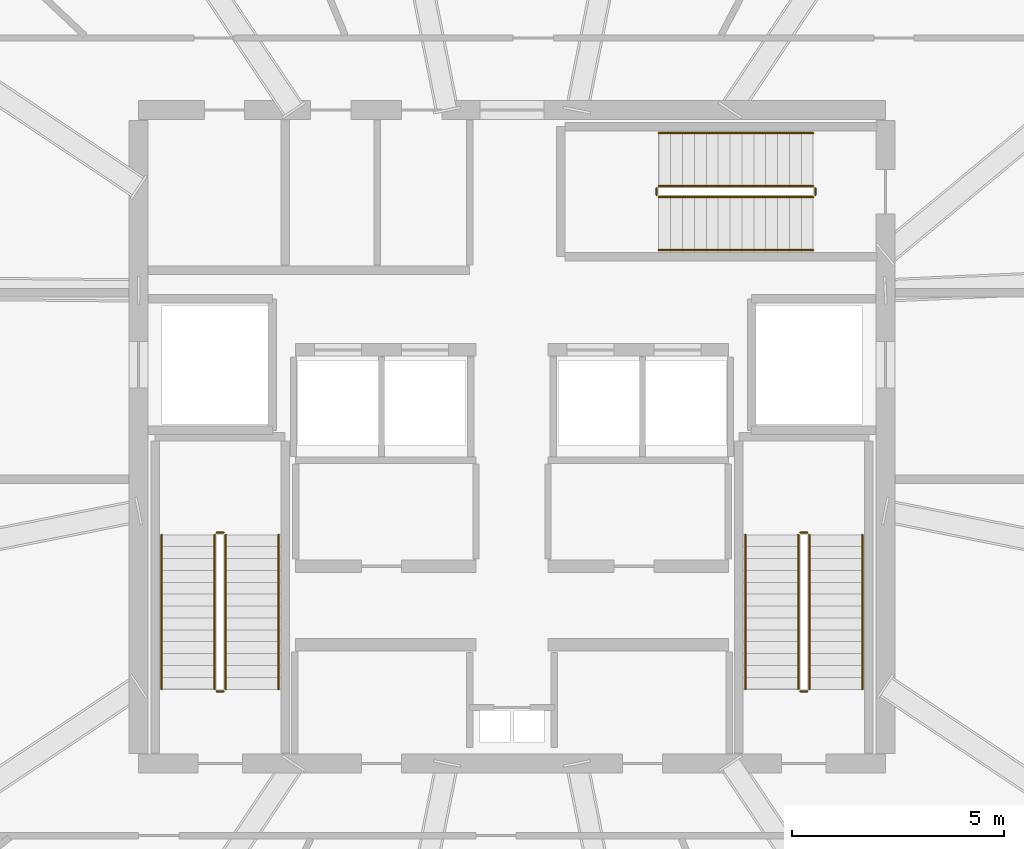
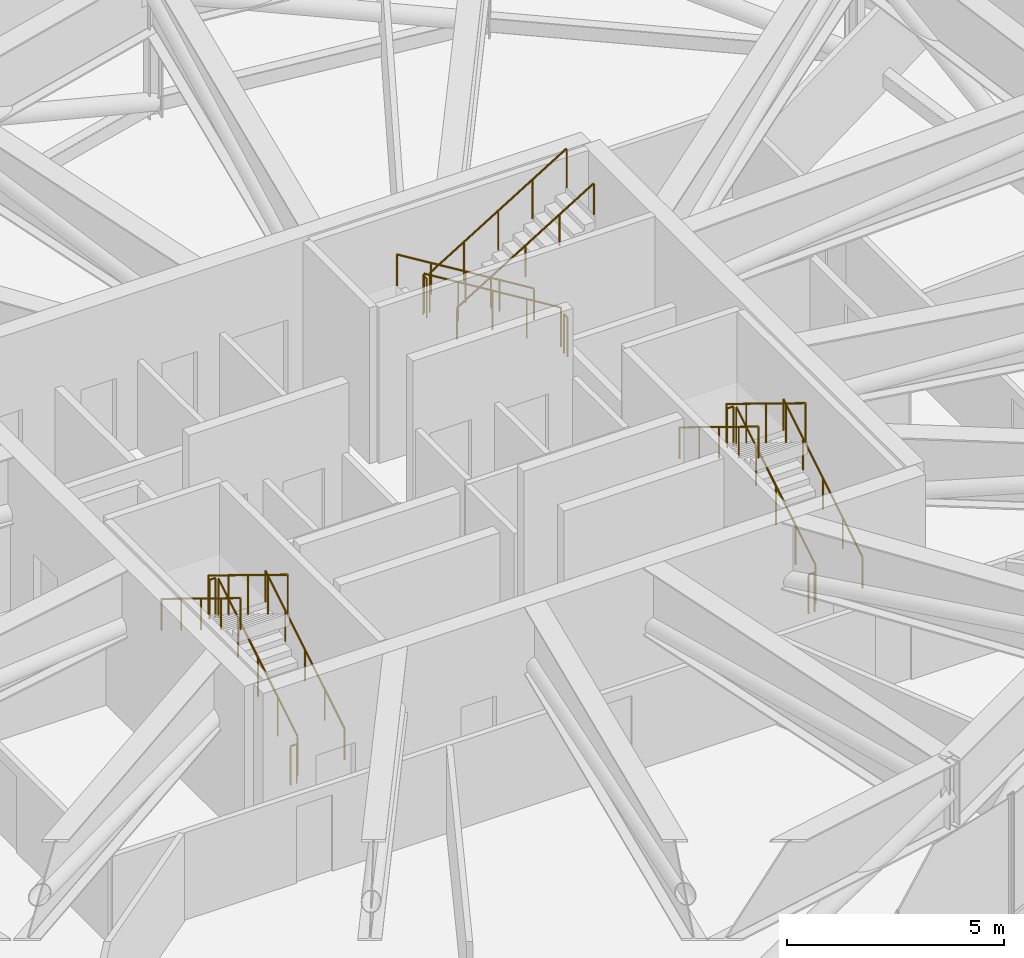
# One storey, part 26 of 26: 18 railings.
"""IFC4 building model written with IfcOpenShell, lengths in metres."""

import ifcopenshell
import ifcopenshell.guid

model = None  # the IFC model being written
_history = None  # IfcOwnerHistory: only IFC2X3 demands one
_inside = {}  # id of a spatial element -> (the spatial element, [elements in it])
_under = {}  # id of a project, library or spatial element -> (it, [spatial elements below it])
_declared = {}  # id of a project -> (the project, [libraries it declares])
_typed = {}  # id of a type object -> (the type object, [elements of that type])
_made_of = {}  # id of a material, layer set ... -> (it, [elements and type objects made of it])


def new_model(schema):
    """Start an empty IFC model of exactly this schema.

    Asked for "IFC4X3", IfcOpenShell would pick the latest addendum, in which some entities
    have other attributes; the version numbers below select the first issue.
    IFC2X3 requires an IfcOwnerHistory on every rooted entity: one is made here for all.
    """
    global model, _history
    if schema == "IFC4X3":
        model = ifcopenshell.file(schema_version=(4, 3, 0, 0))
    else:
        model = ifcopenshell.file(schema=schema)
    _inside.clear()
    _under.clear()
    _declared.clear()
    _typed.clear()
    _made_of.clear()
    _history = None
    if model.schema == "IFC2X3":
        org = make("IfcOrganization", Name="unknown")
        user = make(
            "IfcPersonAndOrganization",
            ThePerson=make("IfcPerson", FamilyName="unknown"),
            TheOrganization=org,
        )
        app = make(
            "IfcApplication",
            ApplicationDeveloper=org,
            Version="unknown",
            ApplicationFullName="unknown",
            ApplicationIdentifier="unknown",
        )
        _history = make(
            "IfcOwnerHistory",
            OwningUser=user,
            OwningApplication=app,
            ChangeAction="ADDED",
            CreationDate=0,
        )
    return model


def make(cls, **values):
    """One entity of the class cls with the attributes given. An attribute that is None is left unset."""
    return model.create_entity(
        cls, **{name: value for name, value in values.items() if value is not None}
    )


def rooted(cls, **values):
    """An entity with a GlobalId (a new one), such as an element, a storey or a relation."""
    return make(cls, GlobalId=ifcopenshell.guid.new(), OwnerHistory=_history, **values)


def si_unit(unit_type, name, prefix=None):
    """IfcSIUnit, for example si_unit("LENGTHUNIT", "METRE", prefix="MILLI")."""
    return make("IfcSIUnit", UnitType=unit_type, Prefix=prefix, Name=name)


def assignment(units):
    """IfcUnitAssignment: the units of a project."""
    return None if units is None else make("IfcUnitAssignment", Units=units)


def point(xyz):
    """IfcCartesianPoint."""
    return None if xyz is None else make("IfcCartesianPoint", Coordinates=xyz)


def direction(xyz):
    """IfcDirection."""
    return None if xyz is None else make("IfcDirection", DirectionRatios=xyz)


def frame(location, z_axis=None, x_axis=None):
    """IfcAxis2Placement3D, a coordinate frame: its origin and axes. An axis left out is left unset."""
    return make(
        "IfcAxis2Placement3D",
        Location=point(location),
        Axis=direction(z_axis),
        RefDirection=direction(x_axis),
    )


def frame_2d(location, x_axis=None):
    """IfcAxis2Placement2D, a coordinate frame in the plane: its origin and x axis."""
    return make(
        "IfcAxis2Placement2D", Location=point(location), RefDirection=direction(x_axis)
    )


def origin():
    """The frame at (0, 0, 0) with its axes left unset."""
    return frame((0.0, 0.0, 0.0))


def origin_2d():
    """The frame at (0, 0) in the plane with its x axis left unset."""
    return frame_2d((0.0, 0.0))


def place(relative_to, where):
    """IfcLocalPlacement: puts the frame where relative to a parent placement (None: the world)."""
    return make(
        "IfcLocalPlacement", PlacementRelTo=relative_to, RelativePlacement=where
    )


def context(
    kind, dimensions, precision=None, world=None, true_north=None, identifier=None
):
    """IfcGeometricRepresentationContext, for example the 3D "Model" context."""
    return make(
        "IfcGeometricRepresentationContext",
        ContextIdentifier=identifier,
        ContextType=kind,
        CoordinateSpaceDimension=dimensions,
        Precision=precision,
        WorldCoordinateSystem=world,
        TrueNorth=true_north,
    )


def subcontext(parent, identifier, kind, view, scale=None):
    """IfcGeometricRepresentationSubContext, for example "Body" below "Model"."""
    return make(
        "IfcGeometricRepresentationSubContext",
        ContextIdentifier=identifier,
        ContextType=kind,
        ParentContext=parent,
        TargetScale=scale,
        TargetView=view,
    )


def project(units=None, contexts=None):
    """IfcProject with its units and contexts."""
    return rooted(
        "IfcProject",
        Name="project",
        RepresentationContexts=contexts,
        UnitsInContext=assignment(units),
    )


def spatial(cls, under=None, at=None, **own):
    """A site, building, storey or space (cls), placed at a placement, below another one or the project."""
    s = rooted(cls, ObjectPlacement=at, **own)
    if under is not None:
        _under.setdefault(under.id(), (under, []))[1].append(s)
    return s


def profile(cls, at=None, kind="AREA", **sizes):
    """A parametric profile (cls). Its sizes go by their IFC names, for example OverallWidth=200.0."""
    return make(cls, ProfileType=kind, Position=at, **sizes)


def circle(**sizes):
    """IfcCircleProfileDef."""
    return profile("IfcCircleProfileDef", **sizes)


def extrude(swept, where, along, depth):
    """IfcExtrudedAreaSolid: the profile swept, set in the frame where, extruded along a direction by depth."""
    return make(
        "IfcExtrudedAreaSolid",
        SweptArea=swept,
        Position=where,
        ExtrudedDirection=direction(along),
        Depth=depth,
    )


def shape(context_of_items, identifier, shape_type, items):
    """IfcShapeRepresentation: the items that make up one representation, for example the "Body"."""
    return make(
        "IfcShapeRepresentation",
        ContextOfItems=context_of_items,
        RepresentationIdentifier=identifier,
        RepresentationType=shape_type,
        Items=items,
    )


def material(Name=None, Category=None):
    """IfcMaterial."""
    return make("IfcMaterial", Name=Name, Category=Category)


def made_of(thing, what):
    """Note that an element or type object is made of a material, layer set ...; save() writes the relation."""
    if what is not None:
        _made_of.setdefault(what.id(), (what, []))[1].append(thing)
    return thing


def type_object(cls, material=None, **own):
    """A type object (cls), such as IfcWallType, which elements share."""
    return made_of(rooted(cls, **own), material)


def element(
    cls,
    number,
    at=None,
    inside=None,
    cuts=None,
    type_object=None,
    material=None,
    context=None,
    identifier="Body",
    shape_type=None,
    held_by="IfcProductDefinitionShape",
    body=None,
    shapes=None,
    **own,
):
    """One element of the class cls, such as IfcWall. Its Tag is "e" and its number.

    at: its placement. inside: the storey or other place that contains it. cuts: it is an
    opening in that element (IfcRelVoidsElement). A single representation is given by context,
    identifier, shape_type and body (its items); several are given by shapes. held_by: the class
    of the entity that holds the representations. save() writes the other relations.
    """
    e = rooted(cls, Tag="e%d" % number, ObjectPlacement=at, **own)
    if body is not None:
        shapes = [shape(context, identifier, shape_type, body)]
    if shapes is not None:
        e.Representation = make(held_by, Representations=shapes)
    if inside is not None:
        _inside.setdefault(inside.id(), (inside, []))[1].append(e)
    if cuts is not None:
        rooted(
            "IfcRelVoidsElement", RelatingBuildingElement=cuts, RelatedOpeningElement=e
        )
    if type_object is not None:
        _typed.setdefault(type_object.id(), (type_object, []))[1].append(e)
    return made_of(e, material)


def aggregate(whole, parts):
    """IfcRelAggregates: a whole, such as a stair, and the parts it consists of."""
    return rooted("IfcRelAggregates", RelatingObject=whole, RelatedObjects=parts)


def save(model, path):
    """Write the relations noted so far, then the file.

    IfcRelAggregates (storeys below a building ...), IfcRelContainedInSpatialStructure (elements
    in a storey), IfcRelDefinesByType, IfcRelAssociatesMaterial and IfcRelDeclares: one each for
    every whole, place, type object, material and project.
    """
    for whole, parts in _under.values():
        aggregate(whole, parts)
    for where, things in _inside.values():
        rooted(
            "IfcRelContainedInSpatialStructure",
            RelatedElements=things,
            RelatingStructure=where,
        )
    for kind, things in _typed.values():
        rooted("IfcRelDefinesByType", RelatedObjects=things, RelatingType=kind)
    for what, things in _made_of.values():
        rooted("IfcRelAssociatesMaterial", RelatedObjects=things, RelatingMaterial=what)
    for by, libraries in _declared.values():
        rooted("IfcRelDeclares", RelatingContext=by, RelatedDefinitions=libraries)
    model.write(path)


model = new_model("IFC4")

# Units and contexts
model_context = context("Model", 3, precision=1e-05, world=origin(), true_north=direction((0.0, 1.0)))
body_context = subcontext(model_context, "Body", "Model", "MODEL_VIEW")
ifc_project = project(units=[si_unit("LENGTHUNIT", "METRE"), si_unit("AREAUNIT", "SQUARE_METRE"), si_unit("VOLUMEUNIT", "CUBIC_METRE"), si_unit("PLANEANGLEUNIT", "RADIAN"), si_unit("MASSUNIT", "GRAM", prefix="KILO"), si_unit("THERMODYNAMICTEMPERATUREUNIT", "KELVIN")], contexts=[model_context])

# Site, building, storey
site_placement = place(None, origin())
site = spatial("IfcSite", under=ifc_project, at=site_placement, CompositionType="ELEMENT")
building_placement = place(site_placement, origin())
building = spatial("IfcBuilding", under=site, at=building_placement, Name="Kethvar Cultural Tower", CompositionType="ELEMENT")
storey_placement = place(building_placement, frame((0.0, 0.0, 223.60009765625)))
storey = spatial("IfcBuildingStorey", under=building, at=storey_placement, Name="L58", CompositionType="ELEMENT", Elevation=223.60009765625)

# Railings
ifc_material = material(Name="Steel S355J2", Category="steel")
railing_type_1 = type_object("IfcRailingType", Name="RL-STAIR-GUARD", PredefinedType="BALUSTRADE", material=ifc_material)
railing_1_placement = place(storey_placement, frame((40.050048828125, 21.85009765625, 0.17138671875)))
element("IfcRailing", 1, at=railing_1_placement, inside=storey, type_object=railing_type_1, Name="L58 ST-01 stair guard 1", PredefinedType="BALUSTRADE", context=body_context, shape_type="SweptSolid", body=[
    extrude(circle(Radius=0.02392578125, at=origin_2d()), frame((0.0, 0.0, 1.09619140625), z_axis=(0.0, 0.852850264322, 0.5221555579), x_axis=(-1.0, 0.0, 0.0)), (0.0, 0.0, 1.0), 4.267822265625),
    extrude(circle(Radius=0.02099609375, at=origin_2d()), origin(), (0.0, 0.0, 1.0), 1.072021484375),
    extrude(circle(Radius=0.02099609375, at=origin_2d()), frame((0.0, 0.909912109375, 0.55712890625)), (0.0, 0.0, 1.0), 1.072021484375),
    extrude(circle(Radius=0.02099609375, at=origin_2d()), frame((0.0, 1.81982421875, 1.1142578125)), (0.0, 0.0, 1.0), 1.072021484375),
    extrude(circle(Radius=0.02099609375, at=origin_2d()), frame((0.0, 2.72998046875, 1.67138671875)), (0.0, 0.0, 1.0), 1.072021484375),
    extrude(circle(Radius=0.02099609375, at=origin_2d()), frame((0.0, 3.639892578125, 2.228515625)), (0.0, 0.0, 1.0), 1.072021484375),
])
railing_2_placement = place(storey_placement, frame((40.0, 25.5400390625, 2.39990234375)))
element("IfcRailing", 2, at=railing_2_placement, inside=storey, type_object=railing_type_1, Name="L58 ST-01 stair guard 2", PredefinedType="BALUSTRADE", context=body_context, shape_type="SweptSolid", body=[
    extrude(circle(Radius=0.02392578125, at=origin_2d()), frame((0.0, 0.0, 1.09619140625), z_axis=(-1.0, 0.0, 0.0), x_axis=(0.0, -1.0, 0.0)), (0.0, 0.0, 1.0), 0.159912109375),
    extrude(circle(Radius=0.02099609375, at=origin_2d()), origin(), (0.0, 0.0, 1.0), 1.072021484375),
    extrude(circle(Radius=0.02099609375, at=origin_2d()), frame((-0.159912109375, 0.0, 0.0)), (0.0, 0.0, 1.0), 1.072021484375),
])
railing_3_placement = place(storey_placement, frame((39.7900390625, 25.489990234375, 2.5712890625)))
element("IfcRailing", 3, at=railing_3_placement, inside=storey, type_object=railing_type_1, Name="L58 ST-01 stair guard 3", PredefinedType="BALUSTRADE", context=body_context, shape_type="SweptSolid", body=[
    extrude(circle(Radius=0.02392578125, at=origin_2d()), frame((0.0, 0.0, 1.09619140625), z_axis=(0.0, -0.852850264322, 0.5221555579), x_axis=(1.0, 0.0, 0.0)), (0.0, 0.0, 1.0), 4.267822265625),
    extrude(circle(Radius=0.02099609375, at=origin_2d()), origin(), (0.0, 0.0, 1.0), 1.072021484375),
    extrude(circle(Radius=0.02099609375, at=origin_2d()), frame((0.0, -0.909912109375, 0.55712890625)), (0.0, 0.0, 1.0), 1.072021484375),
    extrude(circle(Radius=0.02099609375, at=origin_2d()), frame((0.0, -1.81982421875, 1.1142578125)), (0.0, 0.0, 1.0), 1.072021484375),
    extrude(circle(Radius=0.02099609375, at=origin_2d()), frame((0.0, -2.72998046875, 1.67138671875)), (0.0, 0.0, 1.0), 1.072021484375),
    extrude(circle(Radius=0.02099609375, at=origin_2d()), frame((0.0, -3.639892578125, 2.228515625)), (0.0, 0.0, 1.0), 1.072021484375),
])
railing_4_placement = place(storey_placement, frame((40.0, 21.800048828125, 0.0)))
element("IfcRailing", 4, at=railing_4_placement, inside=storey, type_object=railing_type_1, Name="L58 ST-01 stair guard 4", PredefinedType="BALUSTRADE", context=body_context, shape_type="SweptSolid", body=[
    extrude(circle(Radius=0.02392578125, at=origin_2d()), frame((0.0, 0.0, 1.09619140625), z_axis=(-1.0, 0.0, 0.0), x_axis=(0.0, -1.0, 0.0)), (0.0, 0.0, 1.0), 0.159912109375),
    extrude(circle(Radius=0.02099609375, at=origin_2d()), origin(), (0.0, 0.0, 1.0), 1.072021484375),
    extrude(circle(Radius=0.02099609375, at=origin_2d()), frame((-0.159912109375, 0.0, 0.0)), (0.0, 0.0, 1.0), 1.072021484375),
])
railing_5_placement = place(storey_placement, frame((53.81005859375, 21.85009765625, 0.17138671875)))
element("IfcRailing", 5, at=railing_5_placement, inside=storey, type_object=railing_type_1, Name="L58 ST-02 stair guard 1", PredefinedType="BALUSTRADE", context=body_context, shape_type="SweptSolid", body=[
    extrude(circle(Radius=0.02392578125, at=origin_2d()), frame((0.0, 0.0, 1.09619140625), z_axis=(0.0, 0.852850264322, 0.5221555579), x_axis=(-1.0, 0.0, 0.0)), (0.0, 0.0, 1.0), 4.267822265625),
    extrude(circle(Radius=0.02099609375, at=origin_2d()), origin(), (0.0, 0.0, 1.0), 1.072021484375),
    extrude(circle(Radius=0.02099609375, at=origin_2d()), frame((0.0, 0.909912109375, 0.55712890625)), (0.0, 0.0, 1.0), 1.072021484375),
    extrude(circle(Radius=0.02099609375, at=origin_2d()), frame((0.0, 1.81982421875, 1.1142578125)), (0.0, 0.0, 1.0), 1.072021484375),
    extrude(circle(Radius=0.02099609375, at=origin_2d()), frame((0.0, 2.72998046875, 1.67138671875)), (0.0, 0.0, 1.0), 1.072021484375),
    extrude(circle(Radius=0.02099609375, at=origin_2d()), frame((0.0, 3.639892578125, 2.228515625)), (0.0, 0.0, 1.0), 1.072021484375),
])
railing_6_placement = place(storey_placement, frame((53.760009765625, 25.5400390625, 2.39990234375)))
element("IfcRailing", 6, at=railing_6_placement, inside=storey, type_object=railing_type_1, Name="L58 ST-02 stair guard 2", PredefinedType="BALUSTRADE", context=body_context, shape_type="SweptSolid", body=[
    extrude(circle(Radius=0.02392578125, at=origin_2d()), frame((0.0, 0.0, 1.09619140625), z_axis=(-1.0, 0.0, 0.0), x_axis=(0.0, -1.0, 0.0)), (0.0, 0.0, 1.0), 0.159912109375),
    extrude(circle(Radius=0.02099609375, at=origin_2d()), origin(), (0.0, 0.0, 1.0), 1.072021484375),
    extrude(circle(Radius=0.02099609375, at=origin_2d()), frame((-0.159912109375, 0.0, 0.0)), (0.0, 0.0, 1.0), 1.072021484375),
])
railing_7_placement = place(storey_placement, frame((53.550048828125, 25.489990234375, 2.5712890625)))
element("IfcRailing", 7, at=railing_7_placement, inside=storey, type_object=railing_type_1, Name="L58 ST-02 stair guard 3", PredefinedType="BALUSTRADE", context=body_context, shape_type="SweptSolid", body=[
    extrude(circle(Radius=0.02392578125, at=origin_2d()), frame((0.0, 0.0, 1.09619140625), z_axis=(0.0, -0.852850264322, 0.5221555579), x_axis=(1.0, 0.0, 0.0)), (0.0, 0.0, 1.0), 4.267822265625),
    extrude(circle(Radius=0.02099609375, at=origin_2d()), origin(), (0.0, 0.0, 1.0), 1.072021484375),
    extrude(circle(Radius=0.02099609375, at=origin_2d()), frame((0.0, -0.909912109375, 0.55712890625)), (0.0, 0.0, 1.0), 1.072021484375),
    extrude(circle(Radius=0.02099609375, at=origin_2d()), frame((0.0, -1.81982421875, 1.1142578125)), (0.0, 0.0, 1.0), 1.072021484375),
    extrude(circle(Radius=0.02099609375, at=origin_2d()), frame((0.0, -2.72998046875, 1.67138671875)), (0.0, 0.0, 1.0), 1.072021484375),
    extrude(circle(Radius=0.02099609375, at=origin_2d()), frame((0.0, -3.639892578125, 2.228515625)), (0.0, 0.0, 1.0), 1.072021484375),
])
railing_8_placement = place(storey_placement, frame((53.760009765625, 21.800048828125, 0.0)))
element("IfcRailing", 8, at=railing_8_placement, inside=storey, type_object=railing_type_1, Name="L58 ST-02 stair guard 4", PredefinedType="BALUSTRADE", context=body_context, shape_type="SweptSolid", body=[
    extrude(circle(Radius=0.02392578125, at=origin_2d()), frame((0.0, 0.0, 1.09619140625), z_axis=(-1.0, 0.0, 0.0), x_axis=(0.0, -1.0, 0.0)), (0.0, 0.0, 1.0), 0.159912109375),
    extrude(circle(Radius=0.02099609375, at=origin_2d()), origin(), (0.0, 0.0, 1.0), 1.072021484375),
    extrude(circle(Radius=0.02099609375, at=origin_2d()), frame((-0.159912109375, 0.0, 0.0)), (0.0, 0.0, 1.0), 1.072021484375),
])
railing_9_placement = place(storey_placement, frame((53.89990234375, 33.7099609375, 0.17138671875)))
element("IfcRailing", 9, at=railing_9_placement, inside=storey, type_object=railing_type_1, Name="L58 ST-03 stair guard 1", PredefinedType="BALUSTRADE", context=body_context, shape_type="SweptSolid", body=[
    extrude(circle(Radius=0.02392578125, at=origin_2d()), frame((0.0, 0.0, 1.09619140625), z_axis=(-0.852850264322, 0.0, 0.5221555579), x_axis=(0.0, -1.0, 0.0)), (0.0, 0.0, 1.0), 4.267822265625),
    extrude(circle(Radius=0.02099609375, at=origin_2d()), origin(), (0.0, 0.0, 1.0), 1.072021484375),
    extrude(circle(Radius=0.02099609375, at=origin_2d()), frame((-0.909912109375, 0.0, 0.55712890625)), (0.0, 0.0, 1.0), 1.072021484375),
    extrude(circle(Radius=0.02099609375, at=origin_2d()), frame((-1.81982421875, 0.0, 1.1142578125)), (0.0, 0.0, 1.0), 1.072021484375),
    extrude(circle(Radius=0.02099609375, at=origin_2d()), frame((-2.72998046875, 0.0, 1.67138671875)), (0.0, 0.0, 1.0), 1.072021484375),
    extrude(circle(Radius=0.02099609375, at=origin_2d()), frame((-3.639892578125, 0.0, 2.228515625)), (0.0, 0.0, 1.0), 1.072021484375),
])
railing_10_placement = place(storey_placement, frame((50.2099609375, 33.659912109375, 2.39990234375)))
element("IfcRailing", 10, at=railing_10_placement, inside=storey, type_object=railing_type_1, Name="L58 ST-03 stair guard 2", PredefinedType="BALUSTRADE", context=body_context, shape_type="SweptSolid", body=[
    extrude(circle(Radius=0.02392578125, at=origin_2d()), frame((0.0, 0.0, 1.09619140625), z_axis=(0.0, -1.0, 0.0), x_axis=(1.0, 0.0, 0.0)), (0.0, 0.0, 1.0), 0.159912109375),
    extrude(circle(Radius=0.02099609375, at=origin_2d()), origin(), (0.0, 0.0, 1.0), 1.072021484375),
    extrude(circle(Radius=0.02099609375, at=origin_2d()), frame((0.0, -0.159912109375, 0.0)), (0.0, 0.0, 1.0), 1.072021484375),
])
railing_11_placement = place(storey_placement, frame((50.260009765625, 33.449951171875, 2.5712890625)))
element("IfcRailing", 11, at=railing_11_placement, inside=storey, type_object=railing_type_1, Name="L58 ST-03 stair guard 3", PredefinedType="BALUSTRADE", context=body_context, shape_type="SweptSolid", body=[
    extrude(circle(Radius=0.02392578125, at=origin_2d()), frame((0.0, 0.0, 1.09619140625), z_axis=(0.852850264322, 0.0, 0.5221555579), x_axis=(0.0, 1.0, 0.0)), (0.0, 0.0, 1.0), 4.267822265625),
    extrude(circle(Radius=0.02099609375, at=origin_2d()), origin(), (0.0, 0.0, 1.0), 1.072021484375),
    extrude(circle(Radius=0.02099609375, at=origin_2d()), frame((0.909912109375, 0.0, 0.55712890625)), (0.0, 0.0, 1.0), 1.072021484375),
    extrude(circle(Radius=0.02099609375, at=origin_2d()), frame((1.81982421875, 0.0, 1.1142578125)), (0.0, 0.0, 1.0), 1.072021484375),
    extrude(circle(Radius=0.02099609375, at=origin_2d()), frame((2.72998046875, 0.0, 1.67138671875)), (0.0, 0.0, 1.0), 1.072021484375),
    extrude(circle(Radius=0.02099609375, at=origin_2d()), frame((3.639892578125, 0.0, 2.228515625)), (0.0, 0.0, 1.0), 1.072021484375),
])
railing_12_placement = place(storey_placement, frame((53.949951171875, 33.659912109375, 0.0)))
element("IfcRailing", 12, at=railing_12_placement, inside=storey, type_object=railing_type_1, Name="L58 ST-03 stair guard 4", PredefinedType="BALUSTRADE", context=body_context, shape_type="SweptSolid", body=[
    extrude(circle(Radius=0.02392578125, at=origin_2d()), frame((0.0, 0.0, 1.09619140625), z_axis=(0.0, -1.0, 0.0), x_axis=(1.0, 0.0, 0.0)), (0.0, 0.0, 1.0), 0.159912109375),
    extrude(circle(Radius=0.02099609375, at=origin_2d()), origin(), (0.0, 0.0, 1.0), 1.072021484375),
    extrude(circle(Radius=0.02099609375, at=origin_2d()), frame((0.0, -0.159912109375, 0.0)), (0.0, 0.0, 1.0), 1.072021484375),
])
railing_type_2 = type_object("IfcRailingType", Name="RL-STAIR-HANDRAIL", PredefinedType="HANDRAIL", material=ifc_material)
railing_13_placement = place(storey_placement, frame((41.300048828125, 21.85009765625, 0.17138671875)))
element("IfcRailing", 13, at=railing_13_placement, inside=storey, type_object=railing_type_2, Name="L58 ST-01 stair handrail 1", PredefinedType="HANDRAIL", context=body_context, shape_type="SweptSolid", body=[
    extrude(circle(Radius=0.02392578125, at=origin_2d()), frame((0.0, 0.0, 0.8759765625), z_axis=(0.0, 0.852850264322, 0.5221555579), x_axis=(-1.0, 0.0, 0.0)), (0.0, 0.0, 1.0), 4.267822265625),
    extrude(circle(Radius=0.02099609375, at=origin_2d()), origin(), (0.0, 0.0, 1.0), 0.851806640625),
    extrude(circle(Radius=0.02099609375, at=origin_2d()), frame((0.0, 0.909912109375, 0.55712890625)), (0.0, 0.0, 1.0), 0.851806640625),
    extrude(circle(Radius=0.02099609375, at=origin_2d()), frame((0.0, 1.81982421875, 1.1142578125)), (0.0, 0.0, 1.0), 0.851806640625),
    extrude(circle(Radius=0.02099609375, at=origin_2d()), frame((0.0, 2.72998046875, 1.67138671875)), (0.0, 0.0, 1.0), 0.851806640625),
    extrude(circle(Radius=0.02099609375, at=origin_2d()), frame((0.0, 3.639892578125, 2.228515625)), (0.0, 0.0, 1.0), 0.851806640625),
])
railing_14_placement = place(storey_placement, frame((38.5400390625, 25.489990234375, 2.5712890625)))
element("IfcRailing", 14, at=railing_14_placement, inside=storey, type_object=railing_type_2, Name="L58 ST-01 stair handrail 2", PredefinedType="HANDRAIL", context=body_context, shape_type="SweptSolid", body=[
    extrude(circle(Radius=0.02392578125, at=origin_2d()), frame((0.0, 0.0, 0.8759765625), z_axis=(0.0, -0.852850264322, 0.5221555579), x_axis=(1.0, 0.0, 0.0)), (0.0, 0.0, 1.0), 4.267822265625),
    extrude(circle(Radius=0.02099609375, at=origin_2d()), origin(), (0.0, 0.0, 1.0), 0.851806640625),
    extrude(circle(Radius=0.02099609375, at=origin_2d()), frame((0.0, -0.909912109375, 0.55712890625)), (0.0, 0.0, 1.0), 0.851806640625),
    extrude(circle(Radius=0.02099609375, at=origin_2d()), frame((0.0, -1.81982421875, 1.1142578125)), (0.0, 0.0, 1.0), 0.851806640625),
    extrude(circle(Radius=0.02099609375, at=origin_2d()), frame((0.0, -2.72998046875, 1.67138671875)), (0.0, 0.0, 1.0), 0.851806640625),
    extrude(circle(Radius=0.02099609375, at=origin_2d()), frame((0.0, -3.639892578125, 2.228515625)), (0.0, 0.0, 1.0), 0.851806640625),
])
railing_15_placement = place(storey_placement, frame((55.06005859375, 21.85009765625, 0.17138671875)))
element("IfcRailing", 15, at=railing_15_placement, inside=storey, type_object=railing_type_2, Name="L58 ST-02 stair handrail 1", PredefinedType="HANDRAIL", context=body_context, shape_type="SweptSolid", body=[
    extrude(circle(Radius=0.02392578125, at=origin_2d()), frame((0.0, 0.0, 0.8759765625), z_axis=(0.0, 0.852850264322, 0.5221555579), x_axis=(-1.0, 0.0, 0.0)), (0.0, 0.0, 1.0), 4.267822265625),
    extrude(circle(Radius=0.02099609375, at=origin_2d()), origin(), (0.0, 0.0, 1.0), 0.851806640625),
    extrude(circle(Radius=0.02099609375, at=origin_2d()), frame((0.0, 0.909912109375, 0.55712890625)), (0.0, 0.0, 1.0), 0.851806640625),
    extrude(circle(Radius=0.02099609375, at=origin_2d()), frame((0.0, 1.81982421875, 1.1142578125)), (0.0, 0.0, 1.0), 0.851806640625),
    extrude(circle(Radius=0.02099609375, at=origin_2d()), frame((0.0, 2.72998046875, 1.67138671875)), (0.0, 0.0, 1.0), 0.851806640625),
    extrude(circle(Radius=0.02099609375, at=origin_2d()), frame((0.0, 3.639892578125, 2.228515625)), (0.0, 0.0, 1.0), 0.851806640625),
])
railing_16_placement = place(storey_placement, frame((52.300048828125, 25.489990234375, 2.5712890625)))
element("IfcRailing", 16, at=railing_16_placement, inside=storey, type_object=railing_type_2, Name="L58 ST-02 stair handrail 2", PredefinedType="HANDRAIL", context=body_context, shape_type="SweptSolid", body=[
    extrude(circle(Radius=0.02392578125, at=origin_2d()), frame((0.0, 0.0, 0.8759765625), z_axis=(0.0, -0.852850264322, 0.5221555579), x_axis=(1.0, 0.0, 0.0)), (0.0, 0.0, 1.0), 4.267822265625),
    extrude(circle(Radius=0.02099609375, at=origin_2d()), origin(), (0.0, 0.0, 1.0), 0.851806640625),
    extrude(circle(Radius=0.02099609375, at=origin_2d()), frame((0.0, -0.909912109375, 0.55712890625)), (0.0, 0.0, 1.0), 0.851806640625),
    extrude(circle(Radius=0.02099609375, at=origin_2d()), frame((0.0, -1.81982421875, 1.1142578125)), (0.0, 0.0, 1.0), 0.851806640625),
    extrude(circle(Radius=0.02099609375, at=origin_2d()), frame((0.0, -2.72998046875, 1.67138671875)), (0.0, 0.0, 1.0), 0.851806640625),
    extrude(circle(Radius=0.02099609375, at=origin_2d()), frame((0.0, -3.639892578125, 2.228515625)), (0.0, 0.0, 1.0), 0.851806640625),
])
railing_17_placement = place(storey_placement, frame((53.89990234375, 34.9599609375, 0.17138671875)))
element("IfcRailing", 17, at=railing_17_placement, inside=storey, type_object=railing_type_2, Name="L58 ST-03 stair handrail 1", PredefinedType="HANDRAIL", context=body_context, shape_type="SweptSolid", body=[
    extrude(circle(Radius=0.02392578125, at=origin_2d()), frame((0.0, 0.0, 0.8759765625), z_axis=(-0.852850264322, 0.0, 0.5221555579), x_axis=(0.0, -1.0, 0.0)), (0.0, 0.0, 1.0), 4.267822265625),
    extrude(circle(Radius=0.02099609375, at=origin_2d()), origin(), (0.0, 0.0, 1.0), 0.851806640625),
    extrude(circle(Radius=0.02099609375, at=origin_2d()), frame((-0.909912109375, 0.0, 0.55712890625)), (0.0, 0.0, 1.0), 0.851806640625),
    extrude(circle(Radius=0.02099609375, at=origin_2d()), frame((-1.81982421875, 0.0, 1.1142578125)), (0.0, 0.0, 1.0), 0.851806640625),
    extrude(circle(Radius=0.02099609375, at=origin_2d()), frame((-2.72998046875, 0.0, 1.67138671875)), (0.0, 0.0, 1.0), 0.851806640625),
    extrude(circle(Radius=0.02099609375, at=origin_2d()), frame((-3.639892578125, 0.0, 2.228515625)), (0.0, 0.0, 1.0), 0.851806640625),
])
railing_18_placement = place(storey_placement, frame((50.260009765625, 32.199951171875, 2.5712890625)))
element("IfcRailing", 18, at=railing_18_placement, inside=storey, type_object=railing_type_2, Name="L58 ST-03 stair handrail 2", PredefinedType="HANDRAIL", context=body_context, shape_type="SweptSolid", body=[
    extrude(circle(Radius=0.02392578125, at=origin_2d()), frame((0.0, 0.0, 0.8759765625), z_axis=(0.852850264322, 0.0, 0.5221555579), x_axis=(0.0, 1.0, 0.0)), (0.0, 0.0, 1.0), 4.267822265625),
    extrude(circle(Radius=0.02099609375, at=origin_2d()), origin(), (0.0, 0.0, 1.0), 0.851806640625),
    extrude(circle(Radius=0.02099609375, at=origin_2d()), frame((0.909912109375, 0.0, 0.55712890625)), (0.0, 0.0, 1.0), 0.851806640625),
    extrude(circle(Radius=0.02099609375, at=origin_2d()), frame((1.81982421875, 0.0, 1.1142578125)), (0.0, 0.0, 1.0), 0.851806640625),
    extrude(circle(Radius=0.02099609375, at=origin_2d()), frame((2.72998046875, 0.0, 1.67138671875)), (0.0, 0.0, 1.0), 0.851806640625),
    extrude(circle(Radius=0.02099609375, at=origin_2d()), frame((3.639892578125, 0.0, 2.228515625)), (0.0, 0.0, 1.0), 0.851806640625),
])

save(model, "model.ifc")
